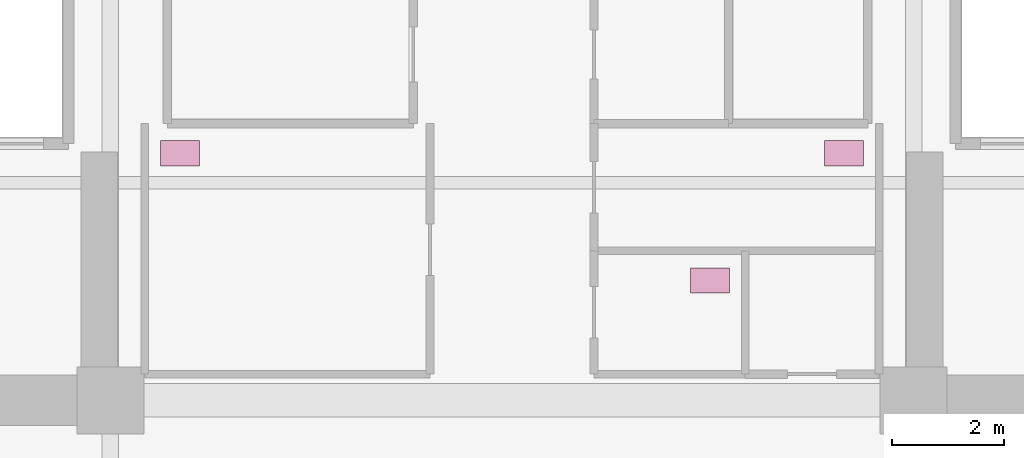
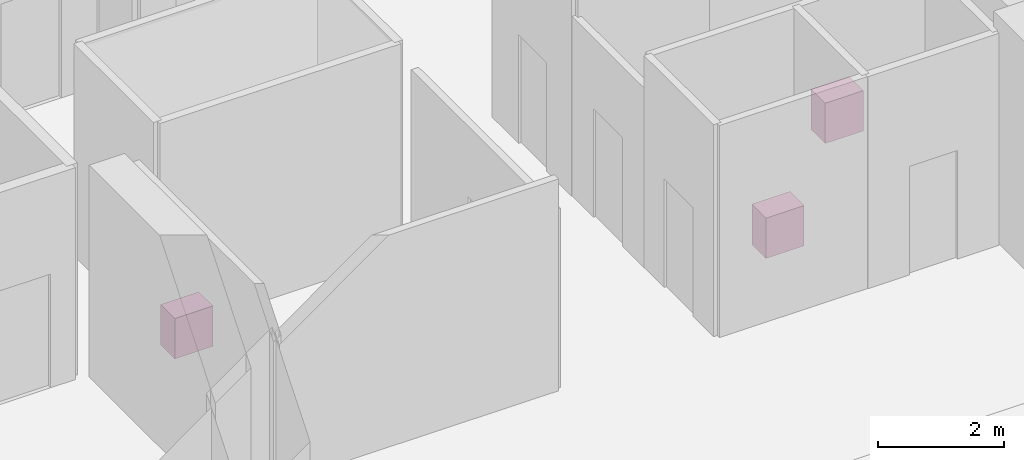
# One storey, part 14 of 14: 3 furnishings.
"""IFC4 building model written with IfcOpenShell, lengths in metres."""

from ifc_helpers import new_model, si_unit, direction, frame, origin, origin_2d, place, context, subcontext, project, spatial, rectangle, extrude, source, transform, mapped, material, type_object, element, save


model = new_model("IFC4")

# Units and contexts
model_context = context("Model", 3, precision=1e-05, world=origin(), true_north=direction((0.0, 1.0)))
body_context = subcontext(model_context, "Body", "Model", "MODEL_VIEW")
ifc_project = project(units=[si_unit("LENGTHUNIT", "METRE"), si_unit("AREAUNIT", "SQUARE_METRE"), si_unit("VOLUMEUNIT", "CUBIC_METRE"), si_unit("PLANEANGLEUNIT", "RADIAN"), si_unit("MASSUNIT", "GRAM", prefix="KILO")], contexts=[model_context])

# Site, building, storey
site_placement = place(None, origin())
site = spatial("IfcSite", under=ifc_project, at=site_placement, CompositionType="ELEMENT")
building_placement = place(site_placement, origin())
building = spatial("IfcBuilding", under=site, at=building_placement, Name="Zarnakvel Exchange Tower", CompositionType="ELEMENT")
storey_placement = place(building_placement, frame((0.0, 0.0, -4.39990234375)))
storey = spatial("IfcBuildingStorey", under=building, at=storey_placement, Name="B01", CompositionType="ELEMENT", Elevation=-4.39990234375)

# Furnishings
ifc_material = material(Name="Vitreous China Sanitaryware", Category="ceramic")
furnishing_element_type = type_object("IfcFurnishingElementType", Name="SAN-WC", material=ifc_material)
shared_shape = source(origin(), body_context, "Body", "SweptSolid", [
    extrude(rectangle(XDim=0.699951171875, YDim=0.449951171875, at=origin_2d()), origin(), (0.0, 0.0, 1.0), 0.780029296875),
])
for number, where, z_axis, x_axis, name in (
    (1, (-5.949951171875, 3.22998046875, 0.0), (0.0, 0.0, 1.0), (1.0, 0.0, 0.0), "B01 Sanitary Fixture (Male Toilet)"),
    (2, (5.949951171875, 3.22998046875, 0.0), (0.0, 0.0, 1.0), (1.0, 0.0, 0.0), "B01 Sanitary Fixture (Female Toilet)"),
    (3, (3.550048828125, 0.949951171875, 0.0), (0.0, 0.0, 1.0), (1.0, 0.0, 0.0), "B01 Sanitary Fixture (Accessible Toilet)"),
):
    element("IfcFurnishingElement", number, at=place(storey_placement, frame(where, z_axis=z_axis, x_axis=x_axis)), inside=storey, type_object=furnishing_element_type, Name=name, ObjectType="SANITARY_FIXTURE", context=body_context, shape_type="MappedRepresentation", body=[
        mapped(shared_shape, transform((0.0, 0.0, 0.0), x_axis=(1.0, 0.0, 0.0), y_axis=(0.0, 1.0, 0.0), z_axis=(0.0, 0.0, 1.0), scale=1.0)),
    ])

save(model, "model.ifc")
